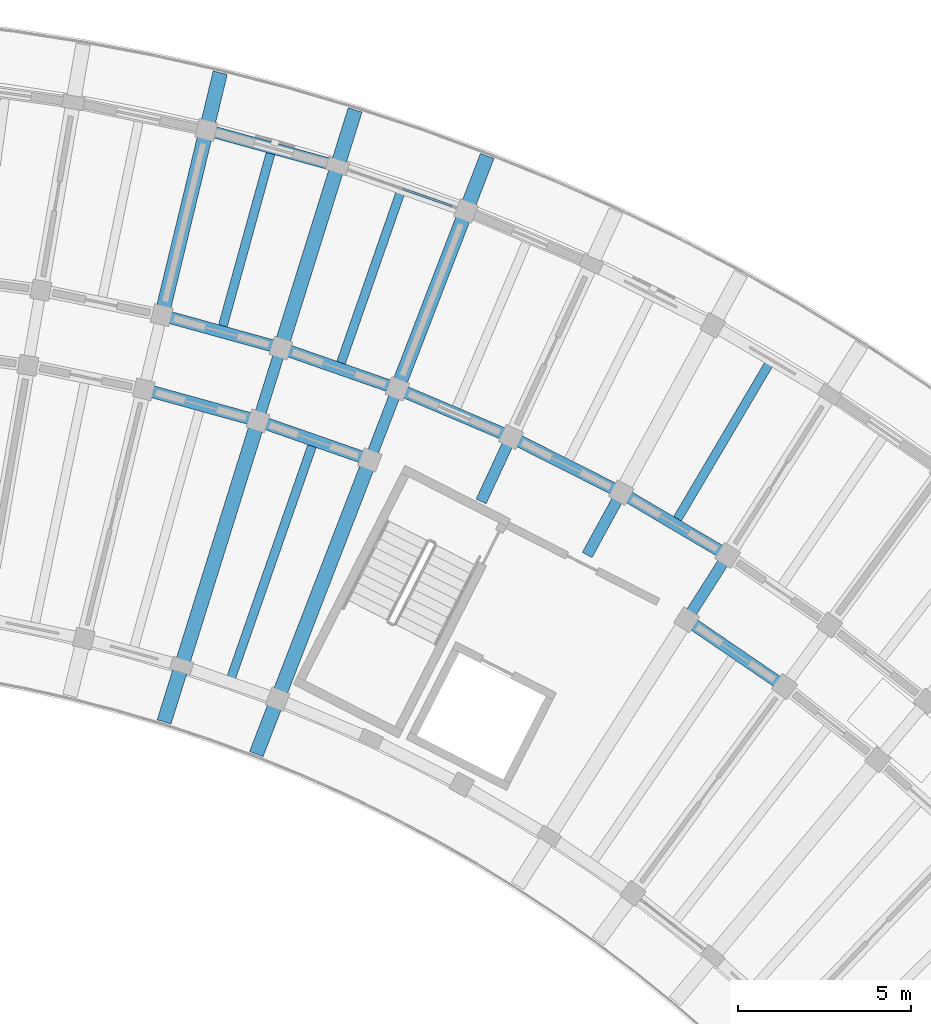
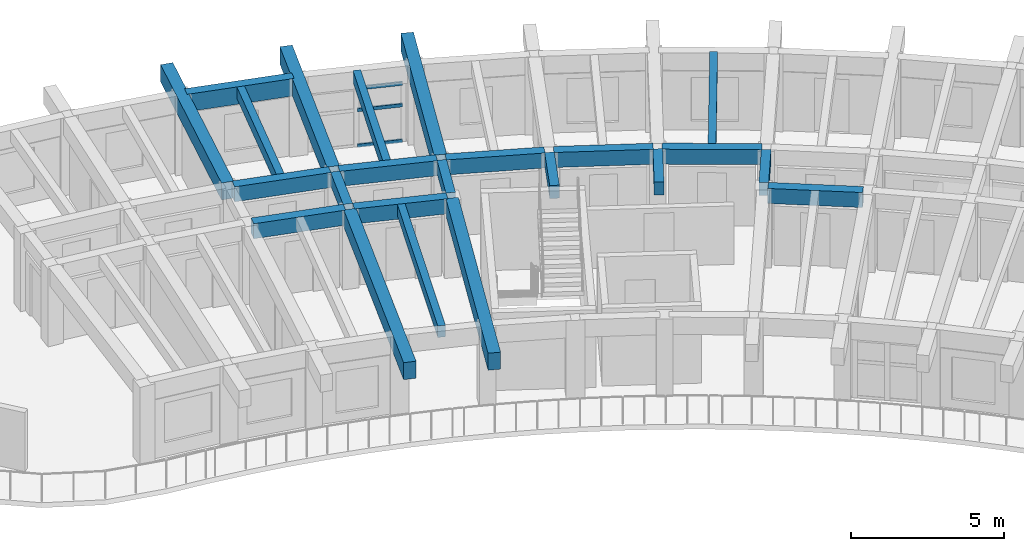
# One storey, part 26 of 78: 23 beams, 3 members, 1 element without a shape of its own.
"""IFC4 building model written with IfcOpenShell, lengths in metres."""

from ifc_helpers import new_model, si_unit, direction, frame, origin, origin_2d, place, context, subcontext, project, spatial, rectangle, hollow_rectangle, extrude, material, material_profile, profile_set, type_object, element, aggregate, save


model = new_model("IFC4")

# Units and contexts
model_context = context("Model", 3, precision=1e-05, world=origin(), true_north=direction((0.0, 1.0)))
body_context = subcontext(model_context, "Body", "Model", "MODEL_VIEW")
ifc_project = project(units=[si_unit("LENGTHUNIT", "METRE"), si_unit("AREAUNIT", "SQUARE_METRE"), si_unit("VOLUMEUNIT", "CUBIC_METRE"), si_unit("PLANEANGLEUNIT", "RADIAN"), si_unit("MASSUNIT", "GRAM", prefix="KILO")], contexts=[model_context])

# Site, building, storey
site_placement = place(None, origin())
site = spatial("IfcSite", under=ifc_project, at=site_placement, CompositionType="ELEMENT")
building_placement = place(site_placement, origin())
building = spatial("IfcBuilding", under=site, at=building_placement, Name="Tanwirah Colonnade Gardens", CompositionType="ELEMENT")
storey_placement = place(building_placement, frame((0.0, 0.0, 22.280029296875)))
storey = spatial("IfcBuildingStorey", under=building, at=storey_placement, Name="L06", CompositionType="ELEMENT", Elevation=22.280029296875)

# Beams
ifc_material_1 = material(Name="Precast concrete C40/50", Category="concrete")
ifc_material_profile_1 = material_profile(ifc_material_1, rectangle(XDim=0.320068359375, YDim=0.52001953125, at=origin_2d()), Name="PC-BM 320x520")
ifc_profile_set_1 = profile_set([ifc_material_profile_1], Name="Precast concrete C40/50")
beam_type_1 = type_object("IfcBeamType", Name="BM-PC320", PredefinedType="BEAM", material=ifc_profile_set_1)
for number, where, z_axis, x_axis, name in (
    (1, (148.89697265625, 104.08349609375, 2.849853515625), (0.536509579595, 0.843894229749, 0.0), (-0.843894229749, 0.536509579595, 0.0), "Block B L06 Corridor Tie Beam 11"),
    (2, (145.945068359375, 105.826171875, 2.849853515625), (0.479707235792, 0.877428611301, 0.0), (-0.877428611301, 0.479707235792, 0.0), "Block B L06 Corridor Tie Beam 12"),
    (3, (142.884765625, 107.37060546875, 2.849853515625), (0.420858322681, 0.90712638162, 0.0), (-0.90712638162, 0.420858322681, 0.0), "Block B L06 Corridor Tie Beam 13"),
    (4, (139.729248046875, 108.7099609375, 2.849853515625), (0.360175656082, 0.932884503444, 0.0), (-0.932884503444, 0.360175656082, 0.0), "Block B L06 Corridor Tie Beam 14"),
    (5, (136.492431640625, 109.838623046875, 2.849853515625), (0.297857918398, 0.954610213882, 0.0), (-0.954610213882, 0.297857918398, 0.0), "Block B L06 Corridor Tie Beam 15"),
):
    element("IfcBeam", number, at=place(storey_placement, frame(where, z_axis=z_axis, x_axis=x_axis)), inside=storey, type_object=beam_type_1, Name=name, PredefinedType="BEAM", context=body_context, shape_type="SweptSolid", body=[
        extrude(rectangle(XDim=0.320068359375, YDim=0.52001953125, at=origin_2d()), origin(), (0.0, 0.0, 1.0), 1.89990234375),
    ])
ifc_material_profile_2 = material_profile(ifc_material_1, rectangle(XDim=0.35009765625, YDim=0.60009765625, at=origin_2d()), Name="PC-BM 350x600")
ifc_profile_set_2 = profile_set([ifc_material_profile_2], Name="Precast concrete C40/50")
beam_type_2 = type_object("IfcBeamType", Name="BM-PC350B", PredefinedType="BEAM", material=ifc_profile_set_2)
beam_1_placement = place(storey_placement, frame((151.515380859375, 102.113525390625, 2.81005859375), z_axis=(-0.825758291455, 0.564024152047, 0.0), x_axis=(-0.564024152047, -0.825758291455, 0.0)))
element("IfcBeam", 6, at=beam_1_placement, inside=storey, type_object=beam_type_2, Name="Block B L06 Circumferential Beam 10-R1", PredefinedType="BEAM", context=body_context, shape_type="SweptSolid", body=[
    extrude(rectangle(XDim=0.35009765625, YDim=0.60009765625, at=origin_2d()), origin(), (0.0, 0.0, 1.0), 3.118408203125),
])
for number, where, z_axis, x_axis, name in (
    (7, (149.86767578125, 105.8896484375, 2.81005859375), (-0.861134978964, 0.508376384193, 0.0), (-0.508376384193, -0.861134978964, 0.0), "Block B L06 Circumferential Beam 11-R2"),
    (8, (146.794677734375, 107.6923828125, 2.81005859375), (-0.89276014323, 0.450532270387, 0.0), (-0.450532270387, -0.89276014323, 0.0), "Block B L06 Circumferential Beam 12-R2"),
):
    element("IfcBeam", number, at=place(storey_placement, frame(where, z_axis=z_axis, x_axis=x_axis)), inside=storey, type_object=beam_type_2, Name=name, PredefinedType="BEAM", context=body_context, shape_type="SweptSolid", body=[
        extrude(rectangle(XDim=0.35009765625, YDim=0.60009765625, at=origin_2d()), origin(), (0.0, 0.0, 1.0), 3.26318359375),
    ])
beam_2_placement = place(storey_placement, frame((143.609375, 109.288818359375, 2.81005859375), z_axis=(-0.920513294115, 0.390711242938, 0.0), x_axis=(-0.390711242938, -0.920513294115, 0.0)))
element("IfcBeam", 9, at=beam_2_placement, inside=storey, type_object=beam_type_2, Name="Block B L06 Circumferential Beam 13-R2", PredefinedType="BEAM", context=body_context, shape_type="SweptSolid", body=[
    extrude(rectangle(XDim=0.35009765625, YDim=0.60009765625, at=origin_2d()), origin(), (0.0, 0.0, 1.0), 3.262939453125),
])
beam_3_placement = place(storey_placement, frame((139.53369140625, 108.619384765625, 2.81005859375), z_axis=(-0.944248304077, 0.329234172358, 0.0), x_axis=(-0.329234172358, -0.944248304077, 0.0)))
element("IfcBeam", 10, at=beam_3_placement, inside=storey, type_object=beam_type_2, Name="Block B L06 Circumferential Beam 14-R1", PredefinedType="BEAM", context=body_context, shape_type="SweptSolid", body=[
    extrude(rectangle(XDim=0.35009765625, YDim=0.60009765625, at=origin_2d()), origin(), (0.0, 0.0, 1.0), 3.1181640625),
])
beam_4_placement = place(storey_placement, frame((140.325927734375, 110.671630859375, 2.81005859375), z_axis=(-0.944231021702, 0.329283734272, 0.0), x_axis=(-0.329283734272, -0.944231021702, 0.0)))
element("IfcBeam", 11, at=beam_4_placement, inside=storey, type_object=beam_type_2, Name="Block B L06 Circumferential Beam 14-R2", PredefinedType="BEAM", context=body_context, shape_type="SweptSolid", body=[
    extrude(rectangle(XDim=0.35009765625, YDim=0.60009765625, at=origin_2d()), origin(), (0.0, 0.0, 1.0), 3.262939453125),
])
beam_5_placement = place(storey_placement, frame((136.302978515625, 109.7353515625, 2.81005859375), z_axis=(-0.963889412906, 0.266302834548, 0.0), x_axis=(-0.266302834548, -0.963889412906, 0.0)))
element("IfcBeam", 12, at=beam_5_placement, inside=storey, type_object=beam_type_2, Name="Block B L06 Circumferential Beam 15-R1", PredefinedType="BEAM", context=body_context, shape_type="SweptSolid", body=[
    extrude(rectangle(XDim=0.35009765625, YDim=0.60009765625, at=origin_2d()), origin(), (0.0, 0.0, 1.0), 3.117919921875),
])
beam_6_placement = place(storey_placement, frame((136.95849609375, 111.83544921875, 2.81005859375), z_axis=(-0.9638953302, 0.266281415833, 0.0), x_axis=(-0.266281415833, -0.9638953302, 0.0)))
element("IfcBeam", 13, at=beam_6_placement, inside=storey, type_object=beam_type_2, Name="Block B L06 Circumferential Beam 15-R2", PredefinedType="BEAM", context=body_context, shape_type="SweptSolid", body=[
    extrude(rectangle(XDim=0.35009765625, YDim=0.60009765625, at=origin_2d()), origin(), (0.0, 0.0, 1.0), 3.26318359375),
])
ifc_material_2 = material(Name="Precast concrete C45/55", Category="concrete")
ifc_material_profile_3 = material_profile(ifc_material_2, rectangle(XDim=0.419921875, YDim=0.679931640625, at=origin_2d()), Name="PC-BM 420x680")
ifc_profile_set_3 = profile_set([ifc_material_profile_3], Name="Precast concrete C45/55")
beam_type_3 = type_object("IfcBeamType", Name="BM-PC420", PredefinedType="BEAM", material=ifc_profile_set_3)
beam_7_placement = place(storey_placement, frame((139.62109375, 108.43017578125, 2.77001953125), z_axis=(-0.360155980892, -0.932892099563, 0.0), x_axis=(0.932892099563, -0.360155980892, 0.0)))
element("IfcBeam", 14, at=beam_7_placement, inside=storey, type_object=beam_type_3, Name="Block B L06 Inner Radial Precast Girder 14", PredefinedType="BEAM", context=body_context, shape_type="SweptSolid", body=[
    extrude(rectangle(XDim=0.419921875, YDim=0.679931640625, at=origin_2d()), origin(), (0.0, 0.0, 1.0), 8.949951171875),
])
beam_8_placement = place(storey_placement, frame((140.521728515625, 110.76220703125, 2.77001953125), z_axis=(0.360150678391, 0.932894146651, 0.0), x_axis=(-0.932894146651, 0.360150678391, 0.0)))
element("IfcBeam", 15, at=beam_8_placement, inside=storey, type_object=beam_type_3, Name="Block B L06 Outer Radial Precast Girder 14", PredefinedType="BEAM", context=body_context, shape_type="SweptSolid", body=[
    extrude(rectangle(XDim=0.419921875, YDim=0.679931640625, at=origin_2d()), origin(), (0.0, 0.0, 1.0), 7.050048828125),
])
beam_9_placement = place(storey_placement, frame((136.403076171875, 109.55224609375, 2.77001953125), z_axis=(-0.29792861283, -0.9545881529, 0.0), x_axis=(0.9545881529, -0.29792861283, 0.0)))
element("IfcBeam", 16, at=beam_9_placement, inside=storey, type_object=beam_type_3, Name="Block B L06 Inner Radial Precast Girder 15", PredefinedType="BEAM", context=body_context, shape_type="SweptSolid", body=[
    extrude(rectangle(XDim=0.419921875, YDim=0.679931640625, at=origin_2d()), origin(), (0.0, 0.0, 1.0), 8.9501953125),
])
beam_10_placement = place(storey_placement, frame((137.147705078125, 111.938720703125, 2.77001953125), z_axis=(0.297957513373, 0.954579132511, 0.0), x_axis=(-0.954579132511, 0.297957513373, 0.0)))
element("IfcBeam", 17, at=beam_10_placement, inside=storey, type_object=beam_type_3, Name="Block B L06 Outer Radial Precast Girder 15", PredefinedType="BEAM", context=body_context, shape_type="SweptSolid", body=[
    extrude(rectangle(XDim=0.419921875, YDim=0.679931640625, at=origin_2d()), origin(), (0.0, 0.0, 1.0), 7.050048828125),
])
beam_11_placement = place(storey_placement, frame((133.703857421875, 112.89013671875, 2.77001953125), z_axis=(0.234378734126, 0.972145364125, 0.0), x_axis=(-0.972145364125, 0.234378734126, 0.0)))
element("IfcBeam", 18, at=beam_11_placement, inside=storey, type_object=beam_type_3, Name="Block B L06 Outer Radial Precast Girder 16", PredefinedType="BEAM", context=body_context, shape_type="SweptSolid", body=[
    extrude(rectangle(XDim=0.419921875, YDim=0.679931640625, at=origin_2d()), origin(), (0.0, 0.0, 1.0), 7.0498046875),
])

# Curtain wall, members
ifc_material_3 = material(Name="Bronze-anodised aluminium and solar-control low-E glass", Category="aluminium")
curtain_wall_type = type_object("IfcCurtainWallType", Name="CW-LOB", PredefinedType="NOTDEFINED", material=ifc_material_3)
curtain_wall_placement = place(storey_placement, origin())
curtain_wall = element("IfcCurtainWall", 19, at=curtain_wall_placement, inside=storey, type_object=curtain_wall_type, Name="Curtain Wall CW-B-L06-OUT-14", PredefinedType="NOTDEFINED")
ifc_material_4 = material(Name="Bronze-anodised aluminium", Category="aluminium")
ifc_material_profile_4 = material_profile(ifc_material_4, hollow_rectangle(XDim=0.06494140625, YDim=0.135009765625, WallThickness=0.00390625, at=origin_2d()), Name="CW-TRN 65x135x4")
ifc_profile_set_4 = profile_set([ifc_material_profile_4], Name="Bronze-anodised aluminium")
member_type = type_object("IfcMemberType", Name="CWT-65x135", PredefinedType="USERDEFINED", material=ifc_profile_set_4)
member_1_placement = place(storey_placement, frame((142.04736328125, 115.89306640625, 0.032470703125), z_axis=(-0.944264668156, 0.329187236194, 0.0), x_axis=(-0.329187236194, -0.944264668156, 0.0)))
member_1 = element("IfcMember", 20, at=member_1_placement, type_object=member_type, Name="CW-LOB transom 1.1", ObjectType="TRANSOM", PredefinedType="USERDEFINED", context=body_context, shape_type="SweptSolid", body=[
    extrude(hollow_rectangle(XDim=0.06494140625, YDim=0.135009765625, WallThickness=0.00390625, at=origin_2d()), origin(), (0.0, 0.0, 1.0), 1.505615234375),
])
member_2_placement = place(storey_placement, frame((142.04736328125, 115.89306640625, 1.4599609375), z_axis=(-0.944264668156, 0.329187236194, 0.0), x_axis=(-0.329187236194, -0.944264668156, 0.0)))
member_2 = element("IfcMember", 21, at=member_2_placement, type_object=member_type, Name="CW-LOB transom 1.2", ObjectType="TRANSOM", PredefinedType="USERDEFINED", context=body_context, shape_type="SweptSolid", body=[
    extrude(hollow_rectangle(XDim=0.06494140625, YDim=0.135009765625, WallThickness=0.00390625, at=origin_2d()), origin(), (0.0, 0.0, 1.0), 1.505615234375),
])
member_3_placement = place(storey_placement, frame((142.04736328125, 115.89306640625, 2.322509765625), z_axis=(-0.944264668156, 0.329187236194, 0.0), x_axis=(-0.329187236194, -0.944264668156, 0.0)))
member_3 = element("IfcMember", 22, at=member_3_placement, type_object=member_type, Name="CW-LOB transom 1.3", ObjectType="TRANSOM", PredefinedType="USERDEFINED", context=body_context, shape_type="SweptSolid", body=[
    extrude(hollow_rectangle(XDim=0.06494140625, YDim=0.135009765625, WallThickness=0.00390625, at=origin_2d()), origin(), (0.0, 0.0, 1.0), 1.505615234375),
])
aggregate(curtain_wall, [member_1, member_2, member_3])

# Beams
ifc_material_profile_5 = material_profile(ifc_material_1, rectangle(XDim=0.260009765625, YDim=0.4599609375, at=origin_2d()), Name="PC-JST 260x460")
ifc_profile_set_5 = profile_set([ifc_material_profile_5], Name="Precast concrete C40/50")
beam_type_4 = type_object("IfcBeamType", Name="JST-PC260", PredefinedType="JOIST", material=ifc_profile_set_5)
beam_12_placement = place(storey_placement, frame((148.53857421875, 106.84765625, 2.8798828125), z_axis=(0.508360236823, 0.86114451146, 0.0), x_axis=(-0.86114451146, 0.508360236823, 0.0)))
element("IfcBeam", 23, at=beam_12_placement, inside=storey, type_object=beam_type_4, Name="Block B L06 Precast Floor Joist 11", PredefinedType="JOIST", context=body_context, shape_type="SweptSolid", body=[
    extrude(rectangle(XDim=0.260009765625, YDim=0.4599609375, at=origin_2d()), origin(), (0.0, 0.0, 1.0), 5.26025390625),
])
beam_13_placement = place(storey_placement, frame((138.83447265625, 111.349853515625, 2.8798828125), z_axis=(0.3292586038, 0.944239785131, 0.0), x_axis=(-0.944239785131, 0.3292586038, 0.0)))
element("IfcBeam", 24, at=beam_13_placement, inside=storey, type_object=beam_type_4, Name="Block B L06 Precast Floor Joist 14", PredefinedType="JOIST", context=body_context, shape_type="SweptSolid", body=[
    extrude(rectangle(XDim=0.260009765625, YDim=0.4599609375, at=origin_2d()), origin(), (0.0, 0.0, 1.0), 5.260009765625),
])
beam_14_placement = place(storey_placement, frame((135.673828125, 102.28515625, 2.8798828125), z_axis=(0.329250558112, 0.944242590642, 0.0), x_axis=(-0.944242590642, 0.329250558112, 0.0)))
element("IfcBeam", 25, at=beam_14_placement, inside=storey, type_object=beam_type_4, Name="Block B L06 Inner Precast Floor Joist 14", PredefinedType="JOIST", context=body_context, shape_type="SweptSolid", body=[
    extrude(rectangle(XDim=0.260009765625, YDim=0.4599609375, at=origin_2d()), origin(), (0.0, 0.0, 1.0), 7.159912109375),
])
beam_15_placement = place(storey_placement, frame((135.42578125, 112.413818359375, 2.8798828125), z_axis=(0.266281476085, 0.963895313555, 0.0), x_axis=(-0.963895313555, 0.266281476085, 0.0)))
element("IfcBeam", 26, at=beam_15_placement, inside=storey, type_object=beam_type_4, Name="Block B L06 Precast Floor Joist 15", PredefinedType="JOIST", context=body_context, shape_type="SweptSolid", body=[
    extrude(rectangle(XDim=0.260009765625, YDim=0.4599609375, at=origin_2d()), origin(), (0.0, 0.0, 1.0), 5.260009765625),
])
ifc_material_profile_6 = material_profile(ifc_material_1, rectangle(XDim=0.3349609375, YDim=0.695068359375, at=origin_2d()), Name="PC-SP 335x695")
ifc_profile_set_6 = profile_set([ifc_material_profile_6], Name="Precast concrete C40/50")
beam_type_5 = type_object("IfcBeamType", Name="SP-PC300", PredefinedType="SPANDREL", material=ifc_profile_set_6)
beam_16_placement = place(storey_placement, frame((138.59716796875, 117.085693359375, 2.762451171875), z_axis=(-0.963888380927, 0.266306569792, 0.0), x_axis=(-0.266306569792, -0.963888380927, 0.0)))
element("IfcBeam", 27, at=beam_16_placement, inside=storey, type_object=beam_type_5, Name="Block B L06 Circumferential Beam 15-R3", PredefinedType="SPANDREL", context=body_context, shape_type="SweptSolid", body=[
    extrude(rectangle(XDim=0.3349609375, YDim=0.695068359375, at=origin_2d()), origin(), (0.0, 0.0, 1.0), 3.625732421875),
])

save(model, "model.ifc")
